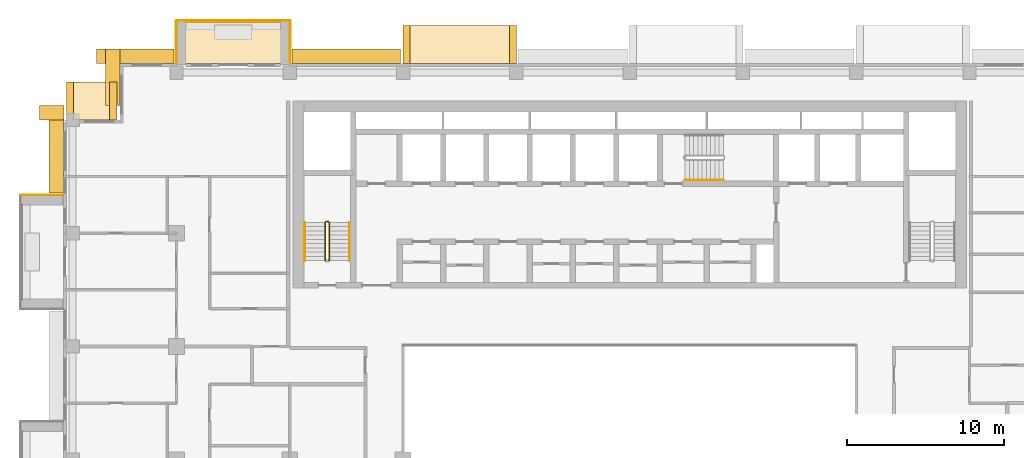
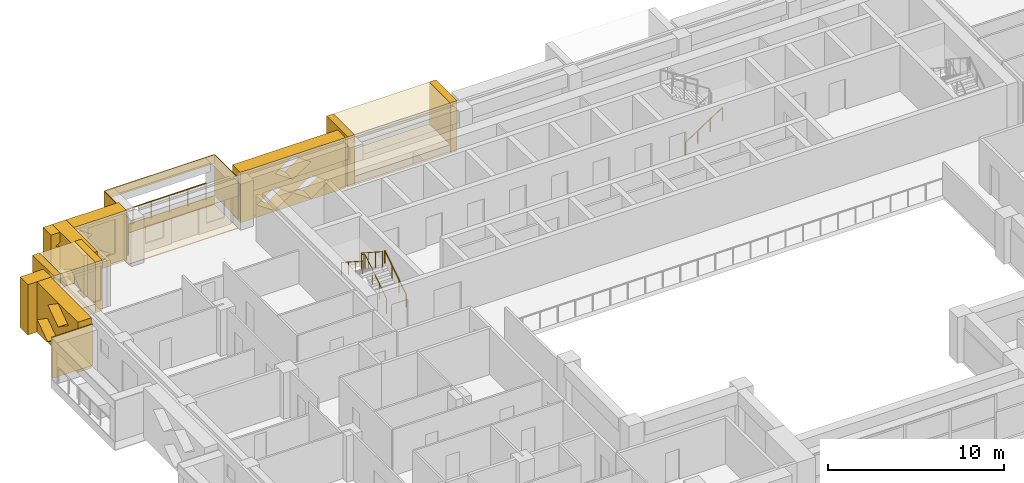
# One storey, part 18 of 20: 19 coverings, 5 railings.
"""IFC4 building model written with IfcOpenShell, lengths in metres."""

from ifc_helpers import new_model, si_unit, direction, frame, origin, origin_2d, place, context, subcontext, project, spatial, polyline, circle, outline, extrude, material, layer, layer_set, type_object, element, save


model = new_model("IFC4")

# Units and contexts
model_context = context("Model", 3, precision=1e-05, world=origin(), true_north=direction((0.0, 1.0)))
body_context = subcontext(model_context, "Body", "Model", "MODEL_VIEW")
ifc_project = project(units=[si_unit("LENGTHUNIT", "METRE"), si_unit("AREAUNIT", "SQUARE_METRE"), si_unit("VOLUMEUNIT", "CUBIC_METRE"), si_unit("PLANEANGLEUNIT", "RADIAN"), si_unit("MASSUNIT", "GRAM", prefix="KILO")], contexts=[model_context])

# Site, building, storey
site_placement = place(None, origin())
site = spatial("IfcSite", under=ifc_project, at=site_placement, CompositionType="ELEMENT")
building_placement = place(site_placement, origin())
building = spatial("IfcBuilding", under=site, at=building_placement, Name="Saffron Iwan Residences", CompositionType="ELEMENT")
storey_placement = place(building_placement, frame((0.0, 0.0, 150.0)))
storey = spatial("IfcBuildingStorey", under=building, at=storey_placement, Name="L39", CompositionType="ELEMENT", Elevation=150.0)

# Railing
ifc_material_1 = material(Name="Stainless steel 316", Category="steel")
railing_type_1 = type_object("IfcRailingType", Name="BALCONY GUARD 1150", PredefinedType="GUARDRAIL", material=ifc_material_1)
railing_1_placement = place(storey_placement, frame((28.199951171875, 83.02490234375, 0.0)))
element("IfcRailing", 1, at=railing_1_placement, inside=storey, type_object=railing_type_1, Name="Balcony guard L39 F5-3", PredefinedType="GUARDRAIL", context=body_context, shape_type="SweptSolid", body=[
    extrude(circle(Radius=0.02392578125, at=origin_2d()), frame((0.0, 0.0, 1.1259765625), z_axis=(-1.0, 0.0, 0.0), x_axis=(0.0, -1.0, 0.0)), (0.0, 0.0, 1.0), 6.0),
    extrude(circle(Radius=0.02099609375, at=origin_2d()), origin(), (0.0, 0.0, 1.0), 1.101806640625),
    extrude(circle(Radius=0.02099609375, at=origin_2d()), frame((-1.199951171875, 0.0, 0.0)), (0.0, 0.0, 1.0), 1.101806640625),
    extrude(circle(Radius=0.02099609375, at=origin_2d()), frame((-2.39990234375, 0.0, 0.0)), (0.0, 0.0, 1.0), 1.101806640625),
    extrude(circle(Radius=0.02099609375, at=origin_2d()), frame((-3.60009765625, 0.0, 0.0)), (0.0, 0.0, 1.0), 1.101806640625),
    extrude(circle(Radius=0.02099609375, at=origin_2d()), frame((-4.800048828125, 0.0, 0.0)), (0.0, 0.0, 1.0), 1.101806640625),
    extrude(circle(Radius=0.02099609375, at=origin_2d()), frame((-6.0, 0.0, 0.0)), (0.0, 0.0, 1.0), 1.101806640625),
])

# Coverings
ifc_material_2 = material(Name="Precast concrete C40/50 white painted", Category="concrete")
ifc_layer = layer(ifc_material_2, 0.050048828125)
ifc_layer_set = layer_set([ifc_layer], Name="Precast concrete C40/50 white painted")
covering_type_1 = type_object("IfcCoveringType", Name="FRAME SKIN PRECAST WHITE 50", PredefinedType="CLADDING", material=ifc_layer_set)
for number, where, name in (
    (2, (0.0, 0.0, -0.60009765625), "Frame skin slab edge L39 F5-3"),
    (3, (0.0, 0.0, 2.25), "Frame skin fascia L39 F5-3"),
):
    element("IfcCovering", number, at=place(storey_placement, frame(where)), inside=storey, type_object=covering_type_1, Name=name, PredefinedType="CLADDING", context=body_context, shape_type="SweptSolid", body=[
        extrude(outline(polyline([(28.800048828125, 83.14990234375), (21.60009765625, 83.14990234375), (21.60009765625, 83.10009765625), (28.800048828125, 83.10009765625), (28.800048828125, 83.14990234375)])), origin(), (0.0, 0.0, 1.0), 0.60009765625),
    ])
covering_1_placement = place(storey_placement, frame((0.0, 0.0, -0.64990234375)))
element("IfcCovering", 4, at=covering_1_placement, inside=storey, type_object=covering_type_1, Name="Frame skin soffit L39 F5-3", PredefinedType="CLADDING", context=body_context, shape_type="SweptSolid", body=[
    extrude(outline(polyline([(28.800048828125, 83.10009765625), (21.60009765625, 83.10009765625), (21.60009765625, 80.39990234375), (28.800048828125, 80.39990234375), (28.800048828125, 83.10009765625)])), origin(), (0.0, 0.0, 1.0), 0.0498046875),
])
covering_2_placement = place(storey_placement, origin())
element("IfcCovering", 5, at=covering_2_placement, inside=storey, type_object=covering_type_1, Name="Frame skin fin L39 F5-3a", PredefinedType="CLADDING", context=body_context, shape_type="SweptSolid", body=[
    extrude(outline(polyline([(28.85009765625, 83.10009765625), (28.800048828125, 83.10009765625), (28.800048828125, 80.39990234375), (28.85009765625, 80.39990234375), (28.85009765625, 83.10009765625)])), origin(), (0.0, 0.0, 1.0), 2.85009765625),
])
covering_3_placement = place(storey_placement, origin())
element("IfcCovering", 6, at=covering_3_placement, inside=storey, type_object=covering_type_1, Name="Frame skin fin L39 F5-3b", PredefinedType="CLADDING", context=body_context, shape_type="SweptSolid", body=[
    extrude(outline(polyline([(21.60009765625, 83.10009765625), (21.550048828125, 83.10009765625), (21.550048828125, 80.39990234375), (21.60009765625, 80.39990234375), (21.60009765625, 83.10009765625)])), origin(), (0.0, 0.0, 1.0), 2.85009765625),
])
covering_4_placement = place(storey_placement, origin())
element("IfcCovering", 7, at=covering_4_placement, inside=storey, type_object=covering_type_1, Name="Frame skin fin L39 F8-0a", PredefinedType="CLADDING", context=body_context, shape_type="SweptSolid", body=[
    extrude(outline(polyline([(11.699951171875, 72.050048828125), (11.699951171875, 72.0), (14.39990234375, 72.0), (14.39990234375, 72.050048828125), (11.699951171875, 72.050048828125)])), origin(), (0.0, 0.0, 1.0), 2.85009765625),
])
ifc_material_3 = material(Name="Precast concrete C40/50", Category="concrete")
covering_type_2 = type_object("IfcCoveringType", Name="OUTER SKIN LATTICE SCREEN", PredefinedType="CLADDING", material=ifc_material_3)
covering_5_placement = place(storey_placement, frame((35.85009765625, 80.39990234375, -0.300048828125), z_axis=(0.0, 1.0, 0.0), x_axis=(-1.0, 0.0, 0.0)))
element("IfcCovering", 8, at=covering_5_placement, inside=storey, type_object=covering_type_2, Name="OUTER SKIN lattice screen L39 F5.3", PredefinedType="CLADDING", context=body_context, shape_type="SweptSolid", body=[
    extrude(outline(polyline([(0.0, 0.0), (6.89990234375, 0.0), (6.89990234375, 3.5), (0.0, 3.5), (0.0, 0.0)]), holes=[polyline([(1.070068359375, 0.875), (2.25, 0.06005859375), (3.429931640625, 0.875), (2.25, 1.68994140625), (1.070068359375, 0.875)]), polyline([(3.469970703125, 0.875), (4.64990234375, 0.06005859375), (5.830078125, 0.875), (4.64990234375, 1.68994140625), (3.469970703125, 0.875)]), polyline([(2.27001953125, 2.625), (3.449951171875, 1.81005859375), (4.6298828125, 2.625), (3.449951171875, 3.43994140625), (2.27001953125, 2.625)])]), origin(), (0.0, 0.0, 1.0), 0.900146484375),
])
covering_6_placement = place(storey_placement, frame((21.449951171875, 80.39990234375, -0.300048828125), z_axis=(0.0, 1.0, 0.0), x_axis=(-1.0, 0.0, 0.0)))
element("IfcCovering", 9, at=covering_6_placement, inside=storey, type_object=covering_type_2, Name="OUTER SKIN lattice screen L39 F5.4", PredefinedType="CLADDING", context=body_context, shape_type="SweptSolid", body=[
    extrude(outline(polyline([(0.0, 0.0), (4.949951171875, 0.0), (4.949951171875, 3.5), (0.0, 3.5), (0.0, 0.0)]), holes=[polyline([(1.070068359375, 0.875), (2.25, 0.06005859375), (3.429931640625, 0.875), (2.25, 1.68994140625), (1.070068359375, 0.875)]), polyline([(2.27001953125, 2.625), (3.449951171875, 1.81005859375), (4.6298828125, 2.625), (3.449951171875, 3.43994140625), (2.27001953125, 2.625)])]), origin(), (0.0, 0.0, 1.0), 0.900146484375),
])
covering_7_placement = place(storey_placement, frame((18.0, 81.300048828125, -0.300048828125), z_axis=(-1.0, 0.0, 0.0), x_axis=(0.0, -1.0, 0.0)))
element("IfcCovering", 10, at=covering_7_placement, inside=storey, type_object=covering_type_2, Name="OUTER SKIN lattice screen L39 F6.0", PredefinedType="CLADDING", context=body_context, shape_type="SweptSolid", body=[
    extrude(outline(polyline([(0.0, 0.0), (3.60009765625, 0.0), (3.60009765625, 3.5), (0.0, 3.5), (0.0, 0.0)]), holes=[polyline([(0.919921875, 0.875), (2.10009765625, 0.06005859375), (3.280029296875, 0.875), (2.10009765625, 1.68994140625), (0.919921875, 0.875)])]), origin(), (0.0, 0.0, 1.0), 0.89990234375),
])
covering_8_placement = place(storey_placement, frame((14.449951171875, 76.800048828125, -0.300048828125), z_axis=(0.0, 1.0, 0.0), x_axis=(-1.0, 0.0, 0.0)))
element("IfcCovering", 11, at=covering_8_placement, inside=storey, type_object=covering_type_2, Name="OUTER SKIN lattice screen L39 F7.0", PredefinedType="CLADDING", context=body_context, shape_type="SweptSolid", body=[
    extrude(outline(polyline([(0.0, 0.0), (1.550048828125, 0.0), (1.550048828125, 3.5), (0.0, 3.5), (0.0, 0.0)])), origin(), (0.0, 0.0, 1.0), 0.89990234375),
])
covering_9_placement = place(storey_placement, frame((14.39990234375, 77.699951171875, -0.300048828125), z_axis=(-1.0, 0.0, 0.0), x_axis=(0.0, -1.0, 0.0)))
element("IfcCovering", 12, at=covering_9_placement, inside=storey, type_object=covering_type_2, Name="OUTER SKIN lattice screen L39 F8.0", PredefinedType="CLADDING", context=body_context, shape_type="SweptSolid", body=[
    extrude(outline(polyline([(0.0, 0.0), (5.550048828125, 0.0), (5.550048828125, 3.5), (0.0, 3.5), (0.0, 0.0)]), holes=[polyline([(0.919921875, 0.875), (2.10009765625, 0.06005859375), (3.280029296875, 0.875), (2.10009765625, 1.68994140625), (0.919921875, 0.875)]), polyline([(2.1201171875, 2.625), (3.300048828125, 1.81005859375), (4.47998046875, 2.625), (3.300048828125, 3.43994140625), (2.1201171875, 2.625)])]), origin(), (0.0, 0.0, 1.0), 0.89990234375),
])

# Railings
ifc_material_4 = material(Name="Steel S355", Category="steel")
railing_type_2 = type_object("IfcRailingType", Name="Stair guard 1100", PredefinedType="GUARDRAIL", material=ifc_material_4)
railing_2_placement = place(storey_placement, frame((31.300048828125, 67.85009765625, 0.175048828125)))
element("IfcRailing", 13, at=railing_2_placement, inside=storey, type_object=railing_type_2, Name="L39 ST-W stair guard 1", PredefinedType="GUARDRAIL", context=body_context, shape_type="SweptSolid", body=[
    extrude(circle(Radius=0.02392578125, at=origin_2d()), frame((0.0, 0.0, 1.076171875), z_axis=(0.0, 0.839153699163, 0.543894354798), x_axis=(-1.0, 0.0, 0.0)), (0.0, 0.0, 1.0), 2.895751953125),
    extrude(circle(Radius=0.02392578125, at=origin_2d()), frame((0.0, 2.429931640625, 2.65087890625), z_axis=(-0.707106781187, 0.707106781187, 0.0), x_axis=(-0.707106781187, -0.707106781187, 0.0)), (0.0, 0.0, 1.0), 0.07080078125),
    extrude(circle(Radius=0.02392578125, at=origin_2d()), frame((-0.050048828125, 2.47998046875, 2.65087890625), z_axis=(-1.0, 0.0, 0.0), x_axis=(0.0, -1.0, 0.0)), (0.0, 0.0, 1.0), 0.14990234375),
    extrude(circle(Radius=0.02392578125, at=origin_2d()), frame((-0.199951171875, 2.47998046875, 2.65087890625), z_axis=(-0.265065253269, -0.265065253269, 0.927081885822), x_axis=(0.707106781187, -0.707106781187, 0.0)), (0.0, 0.0, 1.0), 0.188720703125),
    extrude(circle(Radius=0.02392578125, at=origin_2d()), frame((-0.25, 2.429931640625, 2.826171875), z_axis=(0.0, -0.839153699163, 0.543894354798), x_axis=(1.0, 0.0, 0.0)), (0.0, 0.0, 1.0), 2.895751953125),
    extrude(circle(Radius=0.02099609375, at=origin_2d()), origin(), (0.0, 0.0, 1.0), 1.052001953125),
    extrude(circle(Radius=0.02099609375, at=origin_2d()), frame((0.0, 0.81005859375, 0.52490234375)), (0.0, 0.0, 1.0), 1.052001953125),
    extrude(circle(Radius=0.02099609375, at=origin_2d()), frame((0.0, 1.619873046875, 1.050048828125)), (0.0, 0.0, 1.0), 1.052001953125),
    extrude(circle(Radius=0.02099609375, at=origin_2d()), frame((0.0, 2.429931640625, 1.574951171875)), (0.0, 0.0, 1.0), 1.052001953125),
    extrude(circle(Radius=0.02099609375, at=origin_2d()), frame((-0.050048828125, 2.47998046875, 1.574951171875)), (0.0, 0.0, 1.0), 1.052001953125),
    extrude(circle(Radius=0.02099609375, at=origin_2d()), frame((-0.199951171875, 2.47998046875, 1.574951171875)), (0.0, 0.0, 1.0), 1.052001953125),
    extrude(circle(Radius=0.02099609375, at=origin_2d()), frame((-0.25, 2.429931640625, 1.75)), (0.0, 0.0, 1.0), 1.052001953125),
    extrude(circle(Radius=0.02099609375, at=origin_2d()), frame((-0.25, 1.619873046875, 2.27490234375)), (0.0, 0.0, 1.0), 1.052001953125),
    extrude(circle(Radius=0.02099609375, at=origin_2d()), frame((-0.25, 0.81005859375, 2.800048828125)), (0.0, 0.0, 1.0), 1.052001953125),
    extrude(circle(Radius=0.02099609375, at=origin_2d()), frame((-0.25, 0.0, 3.324951171875)), (0.0, 0.0, 1.0), 1.052001953125),
])
railing_type_3 = type_object("IfcRailingType", Name="Stair handrail 900", PredefinedType="HANDRAIL", material=ifc_material_1)
railing_3_placement = place(storey_placement, frame((32.60009765625, 67.85009765625, 0.175048828125)))
element("IfcRailing", 14, at=railing_3_placement, inside=storey, type_object=railing_type_3, Name="L39 ST-W stair handrail 1", PredefinedType="HANDRAIL", context=body_context, shape_type="SweptSolid", body=[
    extrude(circle(Radius=0.02392578125, at=origin_2d()), frame((0.0, 0.0, 0.8759765625), z_axis=(0.0, 0.839153699163, 0.543894354798), x_axis=(-1.0, 0.0, 0.0)), (0.0, 0.0, 1.0), 2.895751953125),
    extrude(circle(Radius=0.02099609375, at=origin_2d()), origin(), (0.0, 0.0, 1.0), 0.851806640625),
    extrude(circle(Radius=0.02099609375, at=origin_2d()), frame((0.0, 0.81005859375, 0.52490234375)), (0.0, 0.0, 1.0), 0.851806640625),
    extrude(circle(Radius=0.02099609375, at=origin_2d()), frame((0.0, 1.619873046875, 1.050048828125)), (0.0, 0.0, 1.0), 0.851806640625),
    extrude(circle(Radius=0.02099609375, at=origin_2d()), frame((0.0, 2.429931640625, 1.574951171875)), (0.0, 0.0, 1.0), 0.851806640625),
])
railing_4_placement = place(storey_placement, frame((29.75, 70.280029296875, 1.925048828125)))
element("IfcRailing", 15, at=railing_4_placement, inside=storey, type_object=railing_type_3, Name="L39 ST-W stair handrail 2", PredefinedType="HANDRAIL", context=body_context, shape_type="SweptSolid", body=[
    extrude(circle(Radius=0.02392578125, at=origin_2d()), frame((0.0, 0.0, 0.8759765625), z_axis=(0.0, -0.839153699163, 0.543894354798), x_axis=(1.0, 0.0, 0.0)), (0.0, 0.0, 1.0), 2.895751953125),
    extrude(circle(Radius=0.02099609375, at=origin_2d()), origin(), (0.0, 0.0, 1.0), 0.851806640625),
    extrude(circle(Radius=0.02099609375, at=origin_2d()), frame((0.0, -0.81005859375, 0.52490234375)), (0.0, 0.0, 1.0), 0.851806640625),
    extrude(circle(Radius=0.02099609375, at=origin_2d()), frame((0.0, -1.619873046875, 1.050048828125)), (0.0, 0.0, 1.0), 0.851806640625),
    extrude(circle(Radius=0.02099609375, at=origin_2d()), frame((0.0, -2.429931640625, 1.574951171875)), (0.0, 0.0, 1.0), 0.851806640625),
])
railing_5_placement = place(storey_placement, frame((53.925048828125, 72.97509765625, 0.175048828125)))
element("IfcRailing", 16, at=railing_5_placement, inside=storey, type_object=railing_type_3, Name="L39 ST-C stair handrail 1", PredefinedType="HANDRAIL", context=body_context, shape_type="SweptSolid", body=[
    extrude(circle(Radius=0.02392578125, at=origin_2d()), frame((0.0, 0.0, 0.8759765625), z_axis=(0.839153699163, 0.0, 0.543894354798), x_axis=(0.0, 1.0, 0.0)), (0.0, 0.0, 1.0), 2.895751953125),
    extrude(circle(Radius=0.02099609375, at=origin_2d()), origin(), (0.0, 0.0, 1.0), 0.851806640625),
    extrude(circle(Radius=0.02099609375, at=origin_2d()), frame((0.81005859375, 0.0, 0.52490234375)), (0.0, 0.0, 1.0), 0.851806640625),
    extrude(circle(Radius=0.02099609375, at=origin_2d()), frame((1.619873046875, 0.0, 1.050048828125)), (0.0, 0.0, 1.0), 0.851806640625),
    extrude(circle(Radius=0.02099609375, at=origin_2d()), frame((2.429931640625, 0.0, 1.574951171875)), (0.0, 0.0, 1.0), 0.851806640625),
])

# Coverings
covering_type_3 = type_object("IfcCoveringType", Name="WHITE SUN FRAME PRECAST", PredefinedType="CLADDING", material=ifc_material_2)
for number, where, z_axis, x_axis, name in (
    (17, (43.199951171875, 80.39990234375, -0.300048828125), (0.0, 1.0, 0.0), (-1.0, 0.0, 0.0), "Sun frame L39 F5 39.6a"),
    (18, (36.449951171875, 80.39990234375, -0.300048828125), (0.0, 1.0, 0.0), (-1.0, 0.0, 0.0), "Sun frame L39 F5 39.6b"),
):
    element("IfcCovering", number, at=place(storey_placement, frame(where, z_axis=z_axis, x_axis=x_axis)), inside=storey, type_object=covering_type_3, Name=name, PredefinedType="CLADDING", context=body_context, shape_type="SweptSolid", body=[
        extrude(outline(polyline([(0.0, 0.0), (0.449951171875, 0.0), (0.449951171875, 3.5), (0.0, 3.5), (0.0, 0.0)])), origin(), (0.0, 0.0, 1.0), 2.400146484375),
    ])
for number, where, z_axis, x_axis, name in (
    (19, (42.75, 80.39990234375, 2.60009765625), (0.0, 1.0, 0.0), (-1.0, 0.0, 0.0), "Sun frame L39 F5 39.6h"),
    (20, (42.75, 80.39990234375, -0.300048828125), (0.0, 1.0, 0.0), (-1.0, 0.0, 0.0), "Sun frame L39 F5 39.6s"),
):
    element("IfcCovering", number, at=place(storey_placement, frame(where, z_axis=z_axis, x_axis=x_axis)), inside=storey, type_object=covering_type_3, Name=name, PredefinedType="CLADDING", context=body_context, shape_type="SweptSolid", body=[
        extrude(outline(polyline([(0.0, 0.0), (6.300048828125, 0.0), (6.300048828125, 0.60009765625), (0.0, 0.60009765625), (0.0, 0.0)])), origin(), (0.0, 0.0, 1.0), 2.400146484375),
    ])
for number, where, z_axis, x_axis, name in (
    (21, (17.800048828125, 76.800048828125, -0.300048828125), (0.0, 1.0, 0.0), (-1.0, 0.0, 0.0), "Sun frame L39 F7 0.2a"),
    (22, (15.050048828125, 76.800048828125, -0.300048828125), (0.0, 1.0, 0.0), (-1.0, 0.0, 0.0), "Sun frame L39 F7 0.2b"),
):
    element("IfcCovering", number, at=place(storey_placement, frame(where, z_axis=z_axis, x_axis=x_axis)), inside=storey, type_object=covering_type_3, Name=name, PredefinedType="CLADDING", context=body_context, shape_type="SweptSolid", body=[
        extrude(outline(polyline([(0.0, 0.0), (0.449951171875, 0.0), (0.449951171875, 3.5), (0.0, 3.5), (0.0, 0.0)])), origin(), (0.0, 0.0, 1.0), 2.39990234375),
    ])
for number, where, z_axis, x_axis, name in (
    (23, (17.35009765625, 76.800048828125, 2.60009765625), (0.0, 1.0, 0.0), (-1.0, 0.0, 0.0), "Sun frame L39 F7 0.2h"),
    (24, (17.35009765625, 76.800048828125, -0.300048828125), (0.0, 1.0, 0.0), (-1.0, 0.0, 0.0), "Sun frame L39 F7 0.2s"),
):
    element("IfcCovering", number, at=place(storey_placement, frame(where, z_axis=z_axis, x_axis=x_axis)), inside=storey, type_object=covering_type_3, Name=name, PredefinedType="CLADDING", context=body_context, shape_type="SweptSolid", body=[
        extrude(outline(polyline([(0.0, 0.0), (2.300048828125, 0.0), (2.300048828125, 0.60009765625), (0.0, 0.60009765625), (0.0, 0.0)])), origin(), (0.0, 0.0, 1.0), 2.39990234375),
    ])

save(model, "model.ifc")
